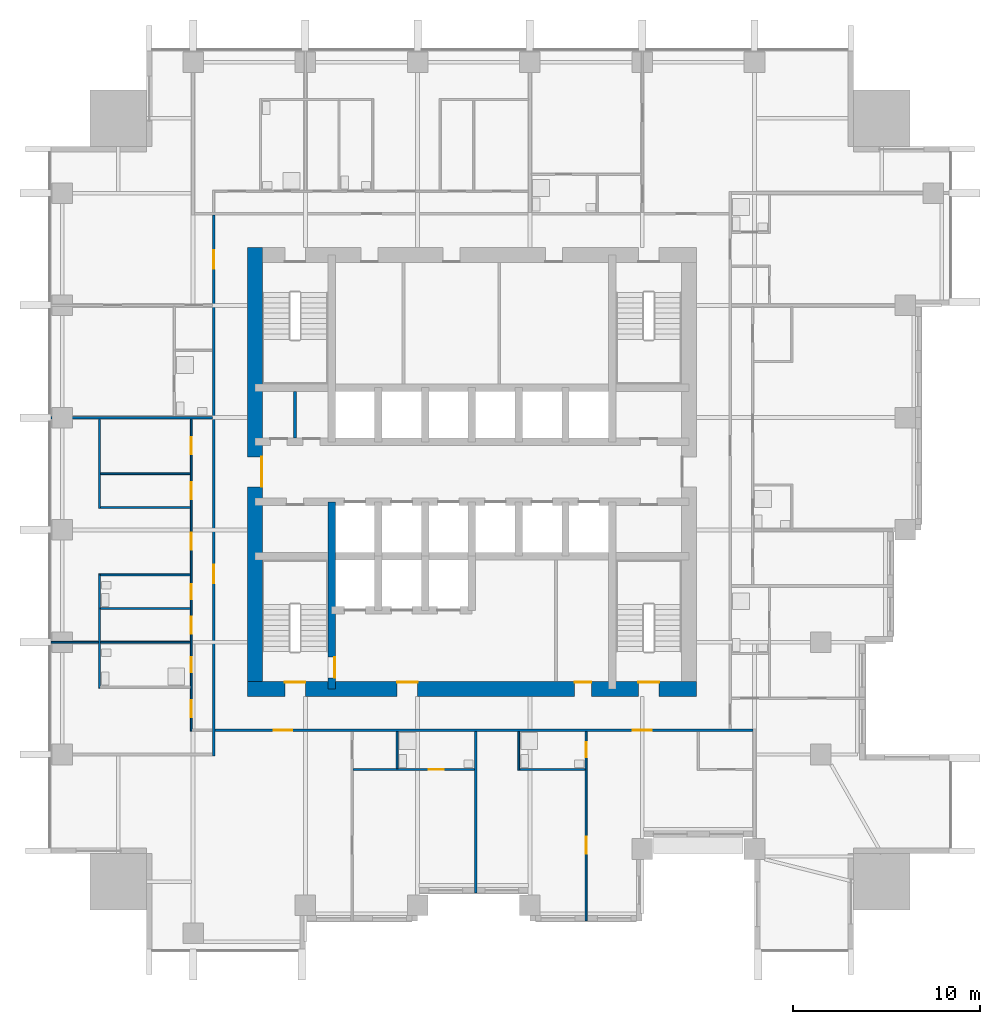
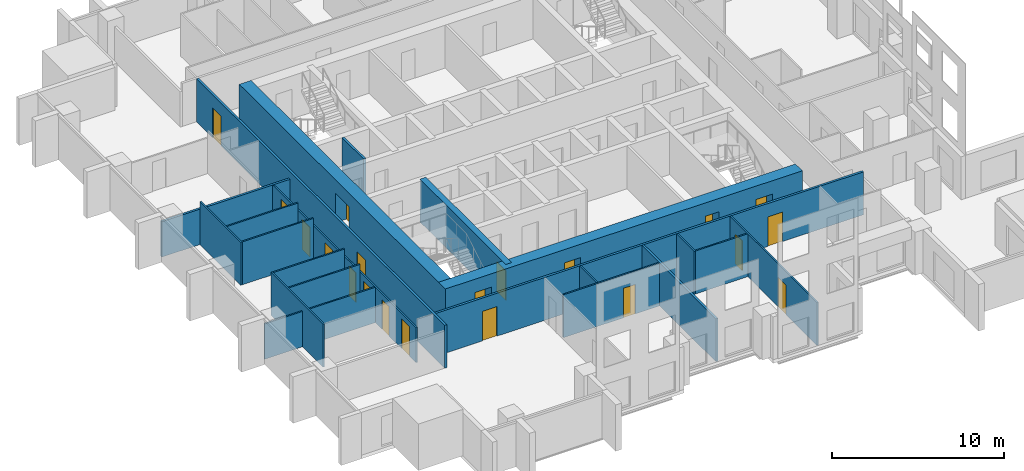
# One storey, part 4 of 11: 21 walls, 20 doors, 20 openings.
"""IFC4 building model written with IfcOpenShell, lengths in metres."""

from ifc_helpers import new_model, si_unit, direction, frame, frame_2d, origin, place, context, subcontext, project, spatial, rectangle, extrude, material, layer, layer_set, type_object, element, fill, save


model = new_model("IFC4")

# Units and contexts
model_context = context("Model", 3, precision=1e-05, world=origin(), true_north=direction((0.0, 1.0)))
body_context = subcontext(model_context, "Body", "Model", "MODEL_VIEW")
ifc_project = project(units=[si_unit("LENGTHUNIT", "METRE"), si_unit("AREAUNIT", "SQUARE_METRE"), si_unit("VOLUMEUNIT", "CUBIC_METRE"), si_unit("PLANEANGLEUNIT", "RADIAN"), si_unit("MASSUNIT", "GRAM", prefix="KILO")], contexts=[model_context])

# Site, building, storey
site_placement = place(None, origin())
site = spatial("IfcSite", under=ifc_project, at=site_placement, CompositionType="ELEMENT")
building_placement = place(site_placement, origin())
building = spatial("IfcBuilding", under=site, at=building_placement, Name="Amberfall Residences", CompositionType="ELEMENT")
storey_placement = place(building_placement, frame((0.0, 0.0, 115.0)))
storey = spatial("IfcBuildingStorey", under=building, at=storey_placement, Name="L31", CompositionType="ELEMENT", Elevation=115.0)

# Wall, opening, door
ifc_material_1 = material(Name="Concrete C70", Category="concrete")
ifc_layer_1 = layer(ifc_material_1, 0.39990234375)
ifc_layer_set_1 = layer_set([ifc_layer_1], Name="Core wall 400 C70")
wall_type_1 = type_object("IfcWallType", Name="Core wall 400 C70", PredefinedType="SHEAR", material=ifc_layer_set_1)
wall_1_placement = place(storey_placement, frame((67.0, 33.89990234375, 0.0), z_axis=(0.0, 0.0, 1.0), x_axis=(0.0, 1.0, 0.0)))
wall_1 = element("IfcWall", 1, at=wall_1_placement, inside=storey, type_object=wall_type_1, Name="Core wall RW4 L31 V45S", PredefinedType="SHEAR", context=body_context, shape_type="SweptSolid", body=[
    extrude(rectangle(XDim=10.0, YDim=0.39990234375, at=frame_2d((5.0, 0.0))), origin(), (0.0, 0.0, 1.0), 3.050048828125),
])
opening_1_placement = place(wall_1_placement, frame((0.60009765625, 0.0, 0.0)))
opening_1 = element("IfcOpeningElement", 2, at=opening_1_placement, cuts=wall_1, Name="Opening FL1", PredefinedType="OPENING", context=body_context, shape_type="SweptSolid", body=[
    extrude(rectangle(XDim=1.10009765625, YDim=2.10009765625, at=frame_2d((0.550048828125, 1.050048828125))), frame((0.0, 0.2099609375, 0.0), z_axis=(0.0, -1.0, 0.0), x_axis=(1.0, 0.0, 0.0)), (0.0, 0.0, 1.0), 0.419921875),
])
ifc_material_2 = material(Name="Steel fire door set", Category="steel")
door_type_1 = type_object("IfcDoorType", Name="Firefighting lobby door 1100 x 2100", OperationType="SINGLE_SWING_LEFT", PredefinedType="DOOR", material=ifc_material_2)
door_1_placement = place(opening_1_placement, origin())
door_1 = element("IfcDoor", 3, at=door_1_placement, inside=storey, type_object=door_type_1, Name="FL1 L31", OperationType="SINGLE_SWING_RIGHT", OverallHeight=2.10009765625, OverallWidth=1.10009765625, PredefinedType="DOOR", context=body_context, shape_type="SweptSolid", body=[
    extrude(rectangle(XDim=1.10009765625, YDim=2.10009765625, at=frame_2d((0.550048828125, 1.050048828125))), frame((0.0, -0.1376953125, 0.0), z_axis=(0.0, -1.0, 0.0), x_axis=(1.0, 0.0, 0.0)), (0.0, 0.0, 1.0), 0.050048828125),
])
fill(opening_1, door_1)

# Wall, openings, doors
ifc_layer_2 = layer(ifc_material_1, 0.800048828125)
ifc_layer_set_2 = layer_set([ifc_layer_2], Name="Core wall 800 C70")
wall_type_2 = type_object("IfcWallType", Name="Core wall 800 C70", PredefinedType="SHEAR", material=ifc_layer_set_2)
wall_2_placement = place(storey_placement, frame((62.5, 33.89990234375, 0.0), z_axis=(0.0, 0.0, 1.0), x_axis=(1.0, 0.0, 0.0)))
wall_2 = element("IfcWall", 4, at=wall_2_placement, inside=storey, type_object=wall_type_2, Name="Core wall RW3 L31 OS", PredefinedType="SHEAR", context=body_context, shape_type="SweptSolid", body=[
    extrude(rectangle(XDim=24.0, YDim=0.800048828125, at=frame_2d((12.0, 0.0))), origin(), (0.0, 0.0, 1.0), 3.050048828125),
])
opening_2_placement = place(wall_2_placement, frame((2.0, 0.0, 0.0)))
opening_2 = element("IfcOpeningElement", 5, at=opening_2_placement, cuts=wall_2, Name="Opening SD1", PredefinedType="OPENING", context=body_context, shape_type="SweptSolid", body=[
    extrude(rectangle(XDim=1.10009765625, YDim=2.10009765625, at=frame_2d((0.550048828125, 1.050048828125))), frame((0.0, 0.409912109375, 0.0), z_axis=(0.0, -1.0, 0.0), x_axis=(1.0, 0.0, 0.0)), (0.0, 0.0, 1.0), 0.820068359375),
])
opening_3_placement = place(wall_2_placement, frame((20.89990234375, 0.0, 0.0)))
opening_3 = element("IfcOpeningElement", 6, at=opening_3_placement, cuts=wall_2, Name="Opening SD1", PredefinedType="OPENING", context=body_context, shape_type="SweptSolid", body=[
    extrude(rectangle(XDim=1.10009765625, YDim=2.10009765625, at=frame_2d((0.550048828125, 1.050048828125))), frame((0.0, 0.409912109375, 0.0), z_axis=(0.0, -1.0, 0.0), x_axis=(1.0, 0.0, 0.0)), (0.0, 0.0, 1.0), 0.820068359375),
])
opening_4_placement = place(wall_2_placement, frame((8.0, 0.0, 0.0)))
opening_4 = element("IfcOpeningElement", 7, at=opening_4_placement, cuts=wall_2, Name="Opening FL1", PredefinedType="OPENING", context=body_context, shape_type="SweptSolid", body=[
    extrude(rectangle(XDim=1.10009765625, YDim=2.10009765625, at=frame_2d((0.550048828125, 1.050048828125))), frame((0.0, 0.409912109375, 0.0), z_axis=(0.0, -1.0, 0.0), x_axis=(1.0, 0.0, 0.0)), (0.0, 0.0, 1.0), 0.820068359375),
])
opening_5_placement = place(wall_2_placement, frame((17.487548828125, 0.0, 0.0)))
opening_5 = element("IfcOpeningElement", 8, at=opening_5_placement, cuts=wall_2, Name="Opening RD1", PredefinedType="OPENING", context=body_context, shape_type="SweptSolid", body=[
    extrude(rectangle(XDim=0.89990234375, YDim=2.10009765625, at=frame_2d((0.449951171875, 1.050048828125))), frame((0.0, 0.409912109375, 0.0), z_axis=(0.0, -1.0, 0.0), x_axis=(1.0, 0.0, 0.0)), (0.0, 0.0, 1.0), 0.820068359375),
])
door_2_placement = place(opening_4_placement, origin())
door_2 = element("IfcDoor", 9, at=door_2_placement, inside=storey, type_object=door_type_1, Name="FL1 L31", OperationType="SINGLE_SWING_LEFT", OverallHeight=2.10009765625, OverallWidth=1.10009765625, PredefinedType="DOOR", context=body_context, shape_type="SweptSolid", body=[
    extrude(rectangle(XDim=1.10009765625, YDim=2.10009765625, at=frame_2d((0.550048828125, 1.050048828125))), frame((0.0, 0.3876953125, 0.0), z_axis=(0.0, -1.0, 0.0), x_axis=(1.0, 0.0, 0.0)), (0.0, 0.0, 1.0), 0.050048828125),
])
fill(opening_4, door_2)
door_type_2 = type_object("IfcDoorType", Name="Service room door 900 x 2100", OperationType="SINGLE_SWING_LEFT", PredefinedType="DOOR", material=ifc_material_2)
door_3_placement = place(opening_5_placement, origin())
door_3 = element("IfcDoor", 10, at=door_3_placement, inside=storey, type_object=door_type_2, Name="RD1 L31", OperationType="SINGLE_SWING_LEFT", OverallHeight=2.10009765625, OverallWidth=0.89990234375, PredefinedType="DOOR", context=body_context, shape_type="SweptSolid", body=[
    extrude(rectangle(XDim=0.89990234375, YDim=2.10009765625, at=frame_2d((0.449951171875, 1.050048828125))), frame((0.0, 0.3876953125, 0.0), z_axis=(0.0, -1.0, 0.0), x_axis=(1.0, 0.0, 0.0)), (0.0, 0.0, 1.0), 0.050048828125),
])
fill(opening_5, door_3)
door_type_3 = type_object("IfcDoorType", Name="Stair door 1100 x 2100", OperationType="SINGLE_SWING_LEFT", PredefinedType="DOOR", material=ifc_material_2)
door_4_placement = place(opening_2_placement, origin())
door_4 = element("IfcDoor", 11, at=door_4_placement, inside=storey, type_object=door_type_3, Name="SD1 L31", OperationType="SINGLE_SWING_LEFT", OverallHeight=2.10009765625, OverallWidth=1.10009765625, PredefinedType="DOOR", context=body_context, shape_type="SweptSolid", body=[
    extrude(rectangle(XDim=1.10009765625, YDim=2.10009765625, at=frame_2d((0.550048828125, 1.050048828125))), frame((0.0, 0.3876953125, 0.0), z_axis=(0.0, -1.0, 0.0), x_axis=(1.0, 0.0, 0.0)), (0.0, 0.0, 1.0), 0.050048828125),
])
fill(opening_2, door_4)
door_5_placement = place(opening_3_placement, origin())
door_5 = element("IfcDoor", 12, at=door_5_placement, inside=storey, type_object=door_type_3, Name="SD1 L31", OperationType="SINGLE_SWING_RIGHT", OverallHeight=2.10009765625, OverallWidth=1.10009765625, PredefinedType="DOOR", context=body_context, shape_type="SweptSolid", body=[
    extrude(rectangle(XDim=1.10009765625, YDim=2.10009765625, at=frame_2d((0.550048828125, 1.050048828125))), frame((0.0, 0.3876953125, 0.0), z_axis=(0.0, -1.0, 0.0), x_axis=(1.0, 0.0, 0.0)), (0.0, 0.0, 1.0), 0.050048828125),
])
fill(opening_3, door_5)

# Wall, opening, door
wall_3_placement = place(storey_placement, frame((62.89990234375, 33.5, 0.0), z_axis=(0.0, 0.0, 1.0), x_axis=(0.0, 1.0, 0.0)))
wall_3 = element("IfcWall", 13, at=wall_3_placement, inside=storey, type_object=wall_type_2, Name="Core wall RW3 L31 OW", PredefinedType="SHEAR", context=body_context, shape_type="SweptSolid", body=[
    extrude(rectangle(XDim=24.0, YDim=0.800048828125, at=frame_2d((12.0, 0.0))), origin(), (0.0, 0.0, 1.0), 3.050048828125),
])
opening_6_placement = place(wall_3_placement, frame((11.199951171875, 0.0, 0.0)))
opening_6 = element("IfcOpeningElement", 14, at=opening_6_placement, cuts=wall_3, Name="Opening LB1", PredefinedType="OPENING", context=body_context, shape_type="SweptSolid", body=[
    extrude(rectangle(XDim=1.60009765625, YDim=2.10009765625, at=frame_2d((0.800048828125, 1.050048828125))), frame((0.0, 0.409912109375, 0.0), z_axis=(0.0, -1.0, 0.0), x_axis=(1.0, 0.0, 0.0)), (0.0, 0.0, 1.0), 0.820068359375),
])
door_type_4 = type_object("IfcDoorType", Name="Lift lobby double door 1600 x 2100", OperationType="DOUBLE_DOOR_SINGLE_SWING", PredefinedType="DOOR", material=ifc_material_2)
door_6_placement = place(opening_6_placement, origin())
door_6 = element("IfcDoor", 15, at=door_6_placement, inside=storey, type_object=door_type_4, Name="LB1 L31", OperationType="DOUBLE_DOOR_SINGLE_SWING", OverallHeight=2.10009765625, OverallWidth=1.60009765625, PredefinedType="DOOR", context=body_context, shape_type="SweptSolid", body=[
    extrude(rectangle(XDim=1.60009765625, YDim=2.10009765625, at=frame_2d((0.800048828125, 1.050048828125))), frame((0.0, -0.33740234375, 0.0), z_axis=(0.0, -1.0, 0.0), x_axis=(1.0, 0.0, 0.0)), (0.0, 0.0, 1.0), 0.050048828125),
])
fill(opening_6, door_6)

# Walls
ifc_material_3 = material(Name="Gypsum board on metal stud")
ifc_layer_3 = layer(ifc_material_3, 0.10009765625)
ifc_layer_set_3 = layer_set([ifc_layer_3], Name="Flat partition 100")
wall_type_3 = type_object("IfcWallType", Name="Flat partition 100", PredefinedType="PARTITIONING", material=ifc_layer_set_3)
wall_4_placement = place(storey_placement, frame((54.60009765625, 33.949951171875, 0.0), z_axis=(0.0, 0.0, 1.0), x_axis=(0.0, 1.0, 0.0)))
element("IfcWall", 16, at=wall_4_placement, inside=storey, type_object=wall_type_3, Name="Partition 001", PredefinedType="PARTITIONING", context=body_context, shape_type="SweptSolid", body=[
    extrude(rectangle(XDim=6.10009765625, YDim=0.10009765625, at=frame_2d((3.050048828125, 0.0))), origin(), (0.0, 0.0, 1.0), 3.050048828125),
])
wall_5_placement = place(storey_placement, frame((54.60009765625, 43.550048828125, 0.0), z_axis=(0.0, 0.0, 1.0), x_axis=(0.0, 1.0, 0.0)))
element("IfcWall", 17, at=wall_5_placement, inside=storey, type_object=wall_type_3, Name="Partition 002", PredefinedType="PARTITIONING", context=body_context, shape_type="SweptSolid", body=[
    extrude(rectangle(XDim=4.77490234375, YDim=0.10009765625, at=frame_2d((2.387451171875, 0.0))), origin(), (0.0, 0.0, 1.0), 3.050048828125),
])

# Wall, openings, doors
wall_6_placement = place(storey_placement, frame((59.5, 31.64990234375, 0.0), z_axis=(0.0, 0.0, 1.0), x_axis=(0.0, 1.0, 0.0)))
wall_6 = element("IfcWall", 18, at=wall_6_placement, inside=storey, type_object=wall_type_3, Name="Partition 004", PredefinedType="PARTITIONING", context=body_context, shape_type="SweptSolid", body=[
    extrude(rectangle(XDim=16.675048828125, YDim=0.10009765625, at=frame_2d((8.33740234375, 0.0))), origin(), (0.0, 0.0, 1.0), 2.510009765625),
])
opening_7_placement = place(wall_6_placement, frame((9.699951171875, 0.0, 0.0)))
opening_7 = element("IfcOpeningElement", 19, at=opening_7_placement, cuts=wall_6, Name="Opening D41", PredefinedType="OPENING", context=body_context, shape_type="SweptSolid", body=[
    extrude(rectangle(XDim=0.89990234375, YDim=2.10009765625, at=frame_2d((0.449951171875, 1.050048828125))), frame((0.0, 0.06005859375, 0.0), z_axis=(0.0, -1.0, 0.0), x_axis=(1.0, 0.0, 0.0)), (0.0, 0.0, 1.0), 0.1201171875),
])
opening_8_placement = place(wall_6_placement, frame((14.800048828125, 0.0, 0.0)))
opening_8 = element("IfcOpeningElement", 20, at=opening_8_placement, cuts=wall_6, Name="Opening D41", PredefinedType="OPENING", context=body_context, shape_type="SweptSolid", body=[
    extrude(rectangle(XDim=0.89990234375, YDim=2.10009765625, at=frame_2d((0.449951171875, 1.050048828125))), frame((0.0, 0.06005859375, 0.0), z_axis=(0.0, -1.0, 0.0), x_axis=(1.0, 0.0, 0.0)), (0.0, 0.0, 1.0), 0.1201171875),
])
opening_9_placement = place(wall_6_placement, frame((12.39990234375, 0.0, 0.0)))
opening_9 = element("IfcOpeningElement", 21, at=opening_9_placement, cuts=wall_6, Name="Opening D41", PredefinedType="OPENING", context=body_context, shape_type="SweptSolid", body=[
    extrude(rectangle(XDim=0.89990234375, YDim=2.10009765625, at=frame_2d((0.449951171875, 1.050048828125))), frame((0.0, 0.06005859375, 0.0), z_axis=(0.0, -1.0, 0.0), x_axis=(1.0, 0.0, 0.0)), (0.0, 0.0, 1.0), 0.1201171875),
])
opening_10_placement = place(wall_6_placement, frame((5.199951171875, 0.0, 0.0)))
opening_10 = element("IfcOpeningElement", 22, at=opening_10_placement, cuts=wall_6, Name="Opening D41", PredefinedType="OPENING", context=body_context, shape_type="SweptSolid", body=[
    extrude(rectangle(XDim=0.89990234375, YDim=2.10009765625, at=frame_2d((0.449951171875, 1.050048828125))), frame((0.0, 0.06005859375, 0.0), z_axis=(0.0, -1.0, 0.0), x_axis=(1.0, 0.0, 0.0)), (0.0, 0.0, 1.0), 0.1201171875),
])
opening_11_placement = place(wall_6_placement, frame((7.050048828125, 0.0, 0.0)))
opening_11 = element("IfcOpeningElement", 23, at=opening_11_placement, cuts=wall_6, Name="Opening D42", PredefinedType="OPENING", context=body_context, shape_type="SweptSolid", body=[
    extrude(rectangle(XDim=0.800048828125, YDim=2.10009765625, at=frame_2d((0.39990234375, 1.050048828125))), frame((0.0, 0.06005859375, 0.0), z_axis=(0.0, -1.0, 0.0), x_axis=(1.0, 0.0, 0.0)), (0.0, 0.0, 1.0), 0.1201171875),
])
opening_12_placement = place(wall_6_placement, frame((0.75, 0.0, 0.0)))
opening_12 = element("IfcOpeningElement", 24, at=opening_12_placement, cuts=wall_6, Name="Opening D41", PredefinedType="OPENING", context=body_context, shape_type="SweptSolid", body=[
    extrude(rectangle(XDim=0.89990234375, YDim=2.10009765625, at=frame_2d((0.449951171875, 1.050048828125))), frame((0.0, 0.06005859375, 0.0), z_axis=(0.0, -1.0, 0.0), x_axis=(1.0, 0.0, 0.0)), (0.0, 0.0, 1.0), 0.1201171875),
])
opening_13_placement = place(wall_6_placement, frame((3.14990234375, 0.0, 0.0)))
opening_13 = element("IfcOpeningElement", 25, at=opening_13_placement, cuts=wall_6, Name="Opening D42", PredefinedType="OPENING", context=body_context, shape_type="SweptSolid", body=[
    extrude(rectangle(XDim=0.800048828125, YDim=2.10009765625, at=frame_2d((0.39990234375, 1.050048828125))), frame((0.0, 0.06005859375, 0.0), z_axis=(0.0, -1.0, 0.0), x_axis=(1.0, 0.0, 0.0)), (0.0, 0.0, 1.0), 0.1201171875),
])
ifc_material_4 = material(Name="Timber", Category="wood")
door_type_5 = type_object("IfcDoorType", Name="Bathroom door 800 x 2100", OperationType="SINGLE_SWING_LEFT", PredefinedType="DOOR", material=ifc_material_4)
door_7_placement = place(opening_11_placement, origin())
door_7 = element("IfcDoor", 26, at=door_7_placement, inside=storey, type_object=door_type_5, Name="Door 3108 wc1", OperationType="SINGLE_SWING_LEFT", OverallHeight=2.10009765625, OverallWidth=0.800048828125, PredefinedType="DOOR", context=body_context, shape_type="SweptSolid", body=[
    extrude(rectangle(XDim=0.800048828125, YDim=2.10009765625, at=frame_2d((0.39990234375, 1.050048828125))), frame((0.0, 0.02490234375, 0.0), z_axis=(0.0, -1.0, 0.0), x_axis=(1.0, 0.0, 0.0)), (0.0, 0.0, 1.0), 0.050048828125),
])
fill(opening_11, door_7)
door_8_placement = place(opening_13_placement, origin())
door_8 = element("IfcDoor", 27, at=door_8_placement, inside=storey, type_object=door_type_5, Name="Door 3108 bath1", OperationType="SINGLE_SWING_LEFT", OverallHeight=2.10009765625, OverallWidth=0.800048828125, PredefinedType="DOOR", context=body_context, shape_type="SweptSolid", body=[
    extrude(rectangle(XDim=0.800048828125, YDim=2.10009765625, at=frame_2d((0.39990234375, 1.050048828125))), frame((0.0, 0.02490234375, 0.0), z_axis=(0.0, -1.0, 0.0), x_axis=(1.0, 0.0, 0.0)), (0.0, 0.0, 1.0), 0.050048828125),
])
fill(opening_13, door_8)
door_type_6 = type_object("IfcDoorType", Name="Internal door 900 x 2100", OperationType="SINGLE_SWING_LEFT", PredefinedType="DOOR", material=ifc_material_4)
door_9_placement = place(opening_7_placement, origin())
door_9 = element("IfcDoor", 28, at=door_9_placement, inside=storey, type_object=door_type_6, Name="Door 3108 living", OperationType="SINGLE_SWING_LEFT", OverallHeight=2.10009765625, OverallWidth=0.89990234375, PredefinedType="DOOR", context=body_context, shape_type="SweptSolid", body=[
    extrude(rectangle(XDim=0.89990234375, YDim=2.10009765625, at=frame_2d((0.449951171875, 1.050048828125))), frame((0.0, 0.02490234375, 0.0), z_axis=(0.0, -1.0, 0.0), x_axis=(1.0, 0.0, 0.0)), (0.0, 0.0, 1.0), 0.050048828125),
])
fill(opening_7, door_9)
door_10_placement = place(opening_8_placement, origin())
door_10 = element("IfcDoor", 29, at=door_10_placement, inside=storey, type_object=door_type_6, Name="Door 3108 kitchen", OperationType="SINGLE_SWING_LEFT", OverallHeight=2.10009765625, OverallWidth=0.89990234375, PredefinedType="DOOR", context=body_context, shape_type="SweptSolid", body=[
    extrude(rectangle(XDim=0.89990234375, YDim=2.10009765625, at=frame_2d((0.449951171875, 1.050048828125))), frame((0.0, 0.02490234375, 0.0), z_axis=(0.0, -1.0, 0.0), x_axis=(1.0, 0.0, 0.0)), (0.0, 0.0, 1.0), 0.050048828125),
])
fill(opening_8, door_10)
door_11_placement = place(opening_9_placement, origin())
door_11 = element("IfcDoor", 30, at=door_11_placement, inside=storey, type_object=door_type_6, Name="Door 3108 utility", OperationType="SINGLE_SWING_LEFT", OverallHeight=2.10009765625, OverallWidth=0.89990234375, PredefinedType="DOOR", context=body_context, shape_type="SweptSolid", body=[
    extrude(rectangle(XDim=0.89990234375, YDim=2.10009765625, at=frame_2d((0.449951171875, 1.050048828125))), frame((0.0, 0.02490234375, 0.0), z_axis=(0.0, -1.0, 0.0), x_axis=(1.0, 0.0, 0.0)), (0.0, 0.0, 1.0), 0.050048828125),
])
fill(opening_9, door_11)
door_12_placement = place(opening_10_placement, origin())
door_12 = element("IfcDoor", 31, at=door_12_placement, inside=storey, type_object=door_type_6, Name="Door 3108 store", OperationType="SINGLE_SWING_LEFT", OverallHeight=2.10009765625, OverallWidth=0.89990234375, PredefinedType="DOOR", context=body_context, shape_type="SweptSolid", body=[
    extrude(rectangle(XDim=0.89990234375, YDim=2.10009765625, at=frame_2d((0.449951171875, 1.050048828125))), frame((0.0, 0.02490234375, 0.0), z_axis=(0.0, -1.0, 0.0), x_axis=(1.0, 0.0, 0.0)), (0.0, 0.0, 1.0), 0.050048828125),
])
fill(opening_10, door_12)
door_13_placement = place(opening_12_placement, origin())
door_13 = element("IfcDoor", 32, at=door_13_placement, inside=storey, type_object=door_type_6, Name="Door 3108 bedroom1", OperationType="SINGLE_SWING_LEFT", OverallHeight=2.10009765625, OverallWidth=0.89990234375, PredefinedType="DOOR", context=body_context, shape_type="SweptSolid", body=[
    extrude(rectangle(XDim=0.89990234375, YDim=2.10009765625, at=frame_2d((0.449951171875, 1.050048828125))), frame((0.0, 0.02490234375, 0.0), z_axis=(0.0, -1.0, 0.0), x_axis=(1.0, 0.0, 0.0)), (0.0, 0.0, 1.0), 0.050048828125),
])
fill(opening_12, door_13)

# Walls
wall_7_placement = place(storey_placement, frame((70.5, 29.64990234375, 0.0), z_axis=(0.0, 0.0, 1.0), x_axis=(0.0, 1.0, 0.0)))
element("IfcWall", 33, at=wall_7_placement, inside=storey, type_object=wall_type_3, Name="Partition 011", PredefinedType="PARTITIONING", context=body_context, shape_type="SweptSolid", body=[
    extrude(rectangle(XDim=1.97509765625, YDim=0.10009765625, at=frame_2d((0.987548828125, 0.0))), origin(), (0.0, 0.0, 1.0), 3.050048828125),
])
wall_8_placement = place(storey_placement, frame((77.0, 29.550048828125, 0.0), z_axis=(0.0, 0.0, 1.0), x_axis=(0.0, 1.0, 0.0)))
element("IfcWall", 34, at=wall_8_placement, inside=storey, type_object=wall_type_3, Name="Partition 014", PredefinedType="PARTITIONING", context=body_context, shape_type="SweptSolid", body=[
    extrude(rectangle(XDim=2.074951171875, YDim=0.10009765625, at=frame_2d((1.03759765625, 0.0))), origin(), (0.0, 0.0, 1.0), 3.050048828125),
])

# Wall, openings, doors
wall_9_placement = place(storey_placement, frame((80.60009765625, 21.5, 0.0), z_axis=(0.0, 0.0, 1.0), x_axis=(0.0, 1.0, 0.0)))
wall_9 = element("IfcWall", 35, at=wall_9_placement, inside=storey, type_object=wall_type_3, Name="Partition 015", PredefinedType="PARTITIONING", context=body_context, shape_type="SweptSolid", body=[
    extrude(rectangle(XDim=10.125, YDim=0.10009765625, at=frame_2d((5.0625, 0.0))), origin(), (0.0, 0.0, 1.0), 3.050048828125),
])
opening_14_placement = place(wall_9_placement, frame((3.60009765625, 0.0, 0.0)))
opening_14 = element("IfcOpeningElement", 36, at=opening_14_placement, cuts=wall_9, Name="Opening D41", PredefinedType="OPENING", context=body_context, shape_type="SweptSolid", body=[
    extrude(rectangle(XDim=0.89990234375, YDim=2.10009765625, at=frame_2d((0.449951171875, 1.050048828125))), frame((0.0, 0.06005859375, 0.0), z_axis=(0.0, -1.0, 0.0), x_axis=(1.0, 0.0, 0.0)), (0.0, 0.0, 1.0), 0.1201171875),
])
opening_15_placement = place(wall_9_placement, frame((8.75, 0.0, 0.0)))
opening_15 = element("IfcOpeningElement", 37, at=opening_15_placement, cuts=wall_9, Name="Opening D42", PredefinedType="OPENING", context=body_context, shape_type="SweptSolid", body=[
    extrude(rectangle(XDim=0.800048828125, YDim=2.10009765625, at=frame_2d((0.39990234375, 1.050048828125))), frame((0.0, 0.06005859375, 0.0), z_axis=(0.0, -1.0, 0.0), x_axis=(1.0, 0.0, 0.0)), (0.0, 0.0, 1.0), 0.1201171875),
])
door_14_placement = place(opening_15_placement, origin())
door_14 = element("IfcDoor", 38, at=door_14_placement, inside=storey, type_object=door_type_5, Name="Door 3102 bath1", OperationType="SINGLE_SWING_LEFT", OverallHeight=2.10009765625, OverallWidth=0.800048828125, PredefinedType="DOOR", context=body_context, shape_type="SweptSolid", body=[
    extrude(rectangle(XDim=0.800048828125, YDim=2.10009765625, at=frame_2d((0.39990234375, 1.050048828125))), frame((0.0, 0.02490234375, 0.0), z_axis=(0.0, -1.0, 0.0), x_axis=(1.0, 0.0, 0.0)), (0.0, 0.0, 1.0), 0.050048828125),
])
fill(opening_15, door_14)
door_15_placement = place(opening_14_placement, origin())
door_15 = element("IfcDoor", 39, at=door_15_placement, inside=storey, type_object=door_type_6, Name="Door 3102 bedroom1", OperationType="SINGLE_SWING_LEFT", OverallHeight=2.10009765625, OverallWidth=0.89990234375, PredefinedType="DOOR", context=body_context, shape_type="SweptSolid", body=[
    extrude(rectangle(XDim=0.89990234375, YDim=2.10009765625, at=frame_2d((0.449951171875, 1.050048828125))), frame((0.0, 0.02490234375, 0.0), z_axis=(0.0, -1.0, 0.0), x_axis=(1.0, 0.0, 0.0)), (0.0, 0.0, 1.0), 0.050048828125),
])
fill(opening_14, door_15)

# Walls
for number, where, z_axis, x_axis, name in (
    (40, (54.64990234375, 45.39990234375, 0.0), (0.0, 0.0, 1.0), (1.0, 0.0, 0.0), "Partition 034"),
    (41, (54.64990234375, 43.60009765625, 0.0), (0.0, 0.0, 1.0), (1.0, 0.0, 0.0), "Partition 036"),
    (42, (54.64990234375, 40.0, 0.0), (0.0, 0.0, 1.0), (1.0, 0.0, 0.0), "Partition 038"),
    (43, (54.64990234375, 38.199951171875, 0.0), (0.0, 0.0, 1.0), (1.0, 0.0, 0.0), "Partition 039"),
):
    element("IfcWall", number, at=place(storey_placement, frame(where, z_axis=z_axis, x_axis=x_axis)), inside=storey, type_object=wall_type_3, Name=name, PredefinedType="PARTITIONING", context=body_context, shape_type="SweptSolid", body=[
        extrude(rectangle(XDim=4.800048828125, YDim=0.10009765625, at=frame_2d((2.39990234375, 0.0))), origin(), (0.0, 0.0, 1.0), 3.050048828125),
    ])
wall_10_placement = place(storey_placement, frame((52.0, 36.39990234375, 0.0), z_axis=(0.0, 0.0, 1.0), x_axis=(1.0, 0.0, 0.0)))
element("IfcWall", 44, at=wall_10_placement, inside=storey, type_object=wall_type_3, Name="Partition 040", PredefinedType="PARTITIONING", context=body_context, shape_type="SweptSolid", body=[
    extrude(rectangle(XDim=7.449951171875, YDim=0.10009765625, at=frame_2d((3.72509765625, 0.0))), origin(), (0.0, 0.0, 1.0), 2.51611328125),
])

# Wall, opening, door
wall_11_placement = place(storey_placement, frame((68.14990234375, 29.60009765625, 0.0), z_axis=(0.0, 0.0, 1.0), x_axis=(1.0, 0.0, 0.0)))
wall_11 = element("IfcWall", 45, at=wall_11_placement, inside=storey, type_object=wall_type_3, Name="Partition 045", PredefinedType="PARTITIONING", context=body_context, shape_type="SweptSolid", body=[
    extrude(rectangle(XDim=6.47509765625, YDim=0.10009765625, at=frame_2d((3.237548828125, 0.0))), origin(), (0.0, 0.0, 1.0), 3.050048828125),
])
opening_16_placement = place(wall_11_placement, frame((4.050048828125, 0.0, 0.0)))
opening_16 = element("IfcOpeningElement", 46, at=opening_16_placement, cuts=wall_11, Name="Opening D42", PredefinedType="OPENING", context=body_context, shape_type="SweptSolid", body=[
    extrude(rectangle(XDim=0.800048828125, YDim=2.10009765625, at=frame_2d((0.39990234375, 1.050048828125))), frame((0.0, 0.06005859375, 0.0), z_axis=(0.0, -1.0, 0.0), x_axis=(1.0, 0.0, 0.0)), (0.0, 0.0, 1.0), 0.1201171875),
])
door_16_placement = place(opening_16_placement, origin())
door_16 = element("IfcDoor", 47, at=door_16_placement, inside=storey, type_object=door_type_5, Name="Door 3101 bath1", OperationType="SINGLE_SWING_LEFT", OverallHeight=2.10009765625, OverallWidth=0.800048828125, PredefinedType="DOOR", context=body_context, shape_type="SweptSolid", body=[
    extrude(rectangle(XDim=0.800048828125, YDim=2.10009765625, at=frame_2d((0.39990234375, 1.050048828125))), frame((0.0, 0.02490234375, 0.0), z_axis=(0.0, -1.0, 0.0), x_axis=(1.0, 0.0, 0.0)), (0.0, 0.0, 1.0), 0.050048828125),
])
fill(opening_16, door_16)

# Wall
wall_12_placement = place(storey_placement, frame((77.050048828125, 29.60009765625, 0.0), z_axis=(0.0, 0.0, 1.0), x_axis=(1.0, 0.0, 0.0)))
element("IfcWall", 48, at=wall_12_placement, inside=storey, type_object=wall_type_3, Name="Partition 046", PredefinedType="PARTITIONING", context=body_context, shape_type="SweptSolid", body=[
    extrude(rectangle(XDim=3.5, YDim=0.10009765625, at=frame_2d((1.75, 0.0))), origin(), (0.0, 0.0, 1.0), 3.050048828125),
])

# Wall, openings, doors
ifc_material_5 = material(Name="Blockwork, plastered", Category="masonry")
ifc_layer_4 = layer(ifc_material_5, 0.14990234375)
ifc_layer_set_4 = layer_set([ifc_layer_4], Name="Flat separating wall 150")
wall_type_4 = type_object("IfcWallType", Name="Flat separating wall 150", PredefinedType="PARTITIONING", material=ifc_layer_set_4)
wall_13_placement = place(storey_placement, frame((60.699951171875, 30.324951171875, 0.0), z_axis=(0.0, 0.0, 1.0), x_axis=(0.0, 1.0, 0.0)))
wall_13 = element("IfcWall", 49, at=wall_13_placement, inside=storey, type_object=wall_type_4, Name="Separating wall 049", PredefinedType="PARTITIONING", context=body_context, shape_type="SweptSolid", body=[
    extrude(rectangle(XDim=28.900146484375, YDim=0.14990234375, at=frame_2d((14.4501953125, 0.0))), origin(), (0.0, 0.0, 1.0), 3.050048828125),
])
opening_17_placement = place(wall_13_placement, frame((9.22509765625, 0.0, 0.0)))
opening_17 = element("IfcOpeningElement", 50, at=opening_17_placement, cuts=wall_13, Name="Opening D40", PredefinedType="OPENING", context=body_context, shape_type="SweptSolid", body=[
    extrude(rectangle(XDim=1.0, YDim=2.10009765625, at=frame_2d((0.5, 1.050048828125))), frame((0.0, 0.0849609375, 0.0), z_axis=(0.0, -1.0, 0.0), x_axis=(1.0, 0.0, 0.0)), (0.0, 0.0, 1.0), 0.169921875),
])
opening_18_placement = place(wall_13_placement, frame((26.02490234375, 0.0, 0.0)))
opening_18 = element("IfcOpeningElement", 51, at=opening_18_placement, cuts=wall_13, Name="Opening D40", PredefinedType="OPENING", context=body_context, shape_type="SweptSolid", body=[
    extrude(rectangle(XDim=1.0, YDim=2.10009765625, at=frame_2d((0.5, 1.050048828125))), frame((0.0, 0.0849609375, 0.0), z_axis=(0.0, -1.0, 0.0), x_axis=(1.0, 0.0, 0.0)), (0.0, 0.0, 1.0), 0.169921875),
])
ifc_material_6 = material(Name="Timber, fire-rated", Category="wood")
door_type_7 = type_object("IfcDoorType", Name="Flat entrance door FD60 1000 x 2100", OperationType="SINGLE_SWING_LEFT", PredefinedType="DOOR", material=ifc_material_6)
door_17_placement = place(opening_17_placement, origin())
door_17 = element("IfcDoor", 52, at=door_17_placement, inside=storey, type_object=door_type_7, Name="Door 3108 entrance", OperationType="SINGLE_SWING_LEFT", OverallHeight=2.10009765625, OverallWidth=1.0, PredefinedType="DOOR", context=body_context, shape_type="SweptSolid", body=[
    extrude(rectangle(XDim=1.0, YDim=2.10009765625, at=frame_2d((0.5, 1.050048828125))), frame((0.0, 0.02490234375, 0.0), z_axis=(0.0, -1.0, 0.0), x_axis=(1.0, 0.0, 0.0)), (0.0, 0.0, 1.0), 0.050048828125),
])
fill(opening_17, door_17)
door_18_placement = place(opening_18_placement, origin())
door_18 = element("IfcDoor", 53, at=door_18_placement, inside=storey, type_object=door_type_7, Name="Door 3109 entrance", OperationType="SINGLE_SWING_LEFT", OverallHeight=2.10009765625, OverallWidth=1.0, PredefinedType="DOOR", context=body_context, shape_type="SweptSolid", body=[
    extrude(rectangle(XDim=1.0, YDim=2.10009765625, at=frame_2d((0.5, 1.050048828125))), frame((0.0, 0.02490234375, 0.0), z_axis=(0.0, -1.0, 0.0), x_axis=(1.0, 0.0, 0.0)), (0.0, 0.0, 1.0), 0.050048828125),
])
fill(opening_18, door_18)

# Walls
wall_14_placement = place(storey_placement, frame((74.699951171875, 23.0, 0.0), z_axis=(0.0, 0.0, 1.0), x_axis=(0.0, 1.0, 0.0)))
element("IfcWall", 54, at=wall_14_placement, inside=storey, type_object=wall_type_4, Name="Separating wall 050", PredefinedType="PARTITIONING", context=body_context, shape_type="SweptSolid", body=[
    extrude(rectangle(XDim=8.625, YDim=0.14990234375, at=frame_2d((4.3125, 0.0))), origin(), (0.0, 0.0, 1.0), 3.050048828125),
])
wall_15_placement = place(storey_placement, frame((52.0, 48.39990234375, 0.0), z_axis=(0.0, 0.0, 1.0), x_axis=(1.0, 0.0, 0.0)))
element("IfcWall", 55, at=wall_15_placement, inside=storey, type_object=wall_type_4, Name="Separating wall 057", PredefinedType="PARTITIONING", context=body_context, shape_type="SweptSolid", body=[
    extrude(rectangle(XDim=8.625, YDim=0.14990234375, at=frame_2d((4.3125, 0.0))), origin(), (0.0, 0.0, 1.0), 2.51611328125),
])

# Wall, openings, doors
wall_16_placement = place(storey_placement, frame((89.52490234375, 31.699951171875, 0.0), z_axis=(0.0, 0.0, 1.0), x_axis=(-1.0, 0.0, 0.0)))
wall_16 = element("IfcWall", 56, at=wall_16_placement, inside=storey, type_object=wall_type_4, Name="Separating wall 059", PredefinedType="PARTITIONING", context=body_context, shape_type="SweptSolid", body=[
    extrude(rectangle(XDim=28.75, YDim=0.14990234375, at=frame_2d((14.375, 0.0))), origin(), (0.0, 0.0, 1.0), 3.050048828125),
])
opening_19_placement = place(wall_16_placement, frame((24.625, 0.0, 0.0)))
opening_19 = element("IfcOpeningElement", 57, at=opening_19_placement, cuts=wall_16, Name="Opening D40", PredefinedType="OPENING", context=body_context, shape_type="SweptSolid", body=[
    extrude(rectangle(XDim=1.0, YDim=2.10009765625, at=frame_2d((0.5, 1.050048828125))), frame((0.0, 0.0849609375, 0.0), z_axis=(0.0, -1.0, 0.0), x_axis=(1.0, 0.0, 0.0)), (0.0, 0.0, 1.0), 0.169921875),
])
opening_20_placement = place(wall_16_placement, frame((5.425048828125, 0.0, 0.0)))
opening_20 = element("IfcOpeningElement", 58, at=opening_20_placement, cuts=wall_16, Name="Opening D40", PredefinedType="OPENING", context=body_context, shape_type="SweptSolid", body=[
    extrude(rectangle(XDim=1.0, YDim=2.10009765625, at=frame_2d((0.5, 1.050048828125))), frame((0.0, 0.0849609375, 0.0), z_axis=(0.0, -1.0, 0.0), x_axis=(1.0, 0.0, 0.0)), (0.0, 0.0, 1.0), 0.169921875),
])
door_19_placement = place(opening_19_placement, origin())
door_19 = element("IfcDoor", 59, at=door_19_placement, inside=storey, type_object=door_type_7, Name="Door 3101 entrance", OperationType="SINGLE_SWING_LEFT", OverallHeight=2.10009765625, OverallWidth=1.0, PredefinedType="DOOR", context=body_context, shape_type="SweptSolid", body=[
    extrude(rectangle(XDim=1.0, YDim=2.10009765625, at=frame_2d((0.5, 1.050048828125))), frame((0.0, 0.02490234375, 0.0), z_axis=(0.0, -1.0, 0.0), x_axis=(1.0, 0.0, 0.0)), (0.0, 0.0, 1.0), 0.050048828125),
])
fill(opening_19, door_19)
door_20_placement = place(opening_20_placement, origin())
door_20 = element("IfcDoor", 60, at=door_20_placement, inside=storey, type_object=door_type_7, Name="Door 3102 entrance", OperationType="SINGLE_SWING_LEFT", OverallHeight=2.10009765625, OverallWidth=1.0, PredefinedType="DOOR", context=body_context, shape_type="SweptSolid", body=[
    extrude(rectangle(XDim=1.0, YDim=2.10009765625, at=frame_2d((0.5, 1.050048828125))), frame((0.0, 0.02490234375, 0.0), z_axis=(0.0, -1.0, 0.0), x_axis=(1.0, 0.0, 0.0)), (0.0, 0.0, 1.0), 0.050048828125),
])
fill(opening_20, door_20)

# Wall
ifc_material_7 = material(Name="Concrete blockwork", Category="masonry")
ifc_layer_5 = layer(ifc_material_7, 0.14990234375)
ifc_layer_set_5 = layer_set([ifc_layer_5], Name="Riser wall 150")
wall_type_5 = type_object("IfcWallType", Name="Riser wall 150", PredefinedType="PLUMBINGWALL", material=ifc_layer_set_5)
wall_17_placement = place(storey_placement, frame((65.050048828125, 47.300048828125, 0.0), z_axis=(0.0, 0.0, 1.0), x_axis=(0.0, 1.0, 0.0)))
element("IfcWall", 61, at=wall_17_placement, inside=storey, type_object=wall_type_5, Name="L31 core wall ANW0", PredefinedType="PLUMBINGWALL", context=body_context, shape_type="SweptSolid", body=[
    extrude(rectangle(XDim=2.5, YDim=0.14990234375, at=frame_2d((1.25, 0.0))), origin(), (0.0, 0.0, 1.0), 3.050048828125),
])

save(model, "model.ifc")
